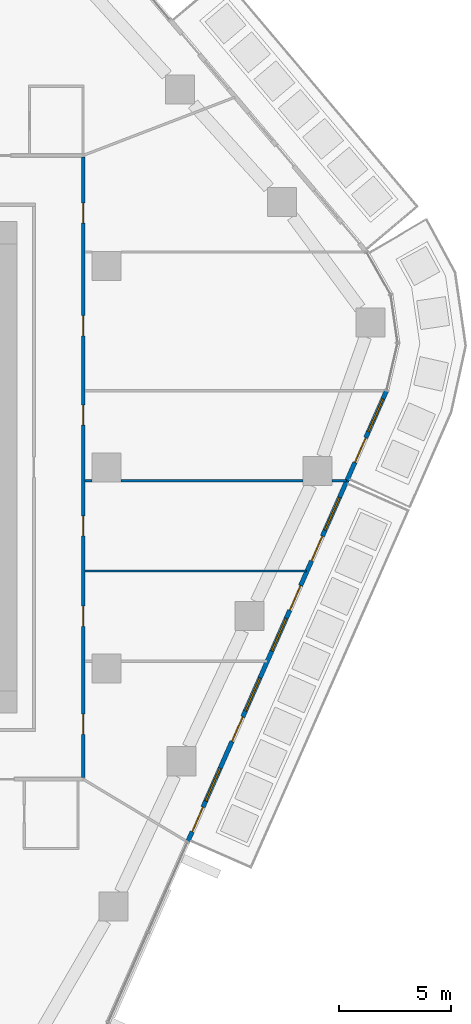
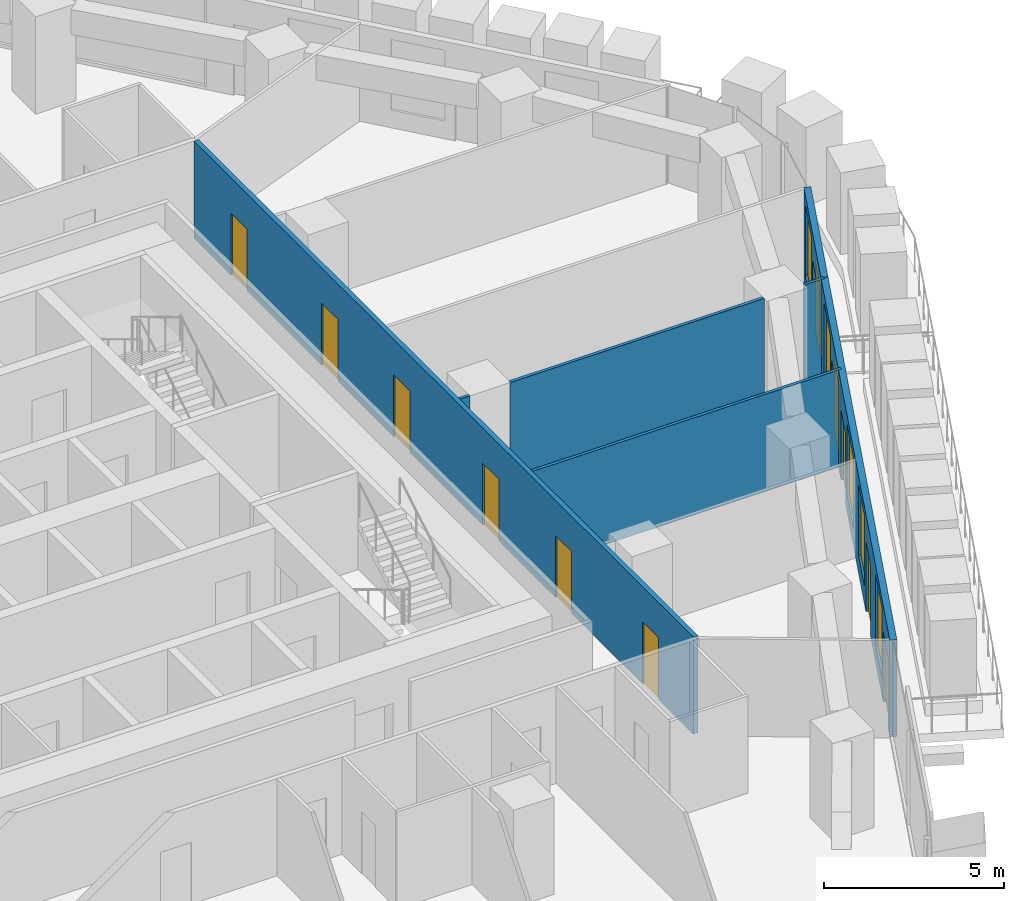
# One storey, part 14 of 24: 11 doors, 7 walls, 5 windows, 16 openings.
"""IFC4 building model written with IfcOpenShell, lengths in metres."""

from ifc_helpers import new_model, si_unit, direction, frame, frame_2d, origin, place, context, subcontext, project, spatial, rectangle, extrude, material, layer, layer_set, type_object, element, fill, save


model = new_model("IFC4")

# Units and contexts
model_context = context("Model", 3, precision=1e-05, world=origin(), true_north=direction((0.0, 1.0)))
body_context = subcontext(model_context, "Body", "Model", "MODEL_VIEW")
ifc_project = project(units=[si_unit("LENGTHUNIT", "METRE"), si_unit("AREAUNIT", "SQUARE_METRE"), si_unit("VOLUMEUNIT", "CUBIC_METRE"), si_unit("PLANEANGLEUNIT", "RADIAN"), si_unit("MASSUNIT", "GRAM", prefix="KILO")], contexts=[model_context])

# Site, building, storey
site_placement = place(None, origin())
site = spatial("IfcSite", under=ifc_project, at=site_placement, CompositionType="ELEMENT")
building_placement = place(site_placement, origin())
building = spatial("IfcBuilding", under=site, at=building_placement, Name="Dongbaek Canopy Tower", CompositionType="ELEMENT")
storey_placement = place(building_placement, frame((0.0, 0.0, 110.0)))
storey = spatial("IfcBuildingStorey", under=building, at=storey_placement, Name="L23", CompositionType="ELEMENT", Elevation=110.0)

# Wall, openings, doors
ifc_material_1 = material(Name="Gypsum board partition, steel stud, 2 x 15 mm fire board", Category="steel")
ifc_layer_1 = layer(ifc_material_1, 0.14990234375)
ifc_layer_set_1 = layer_set([ifc_layer_1], Name="Fire-rated partition 150 gypsum board")
wall_type_1 = type_object("IfcWallType", Name="Fire-rated partition 150 gypsum board", PredefinedType="PARTITIONING", material=ifc_layer_set_1)
wall_1_placement = place(storey_placement, frame((16.949951171875, 13.875, 0.0), z_axis=(0.0, 0.0, 1.0), x_axis=(0.0, -1.0, 0.0)))
wall_1 = element("IfcWall", 1, at=wall_1_placement, inside=storey, type_object=wall_type_1, Name="Corridor partition", PredefinedType="PARTITIONING", context=body_context, shape_type="SweptSolid", body=[
    extrude(rectangle(XDim=27.75, YDim=0.14990234375, at=frame_2d((13.875, 0.0))), origin(), (0.0, 0.0, 1.0), 3.300048828125),
])
opening_1_placement = place(wall_1_placement, frame((24.91748046875, 0.0, 0.0)))
opening_1 = element("IfcOpeningElement", 2, at=opening_1_placement, cuts=wall_1, Name="Opening L23-D015", PredefinedType="OPENING", context=body_context, shape_type="SweptSolid", body=[
    extrude(rectangle(XDim=0.89990234375, YDim=2.10009765625, at=frame_2d((0.449951171875, 1.050048828125))), frame((0.0, 0.0849609375, 0.0), z_axis=(0.0, -1.0, 0.0), x_axis=(1.0, 0.0, 0.0)), (0.0, 0.0, 1.0), 0.169921875),
])
opening_2_placement = place(wall_1_placement, frame((20.086181640625, 0.0, 0.0)))
opening_2 = element("IfcOpeningElement", 3, at=opening_2_placement, cuts=wall_1, Name="Opening L23-D016", PredefinedType="OPENING", context=body_context, shape_type="SweptSolid", body=[
    extrude(rectangle(XDim=0.89990234375, YDim=2.10009765625, at=frame_2d((0.449951171875, 1.050048828125))), frame((0.0, 0.0849609375, 0.0), z_axis=(0.0, -1.0, 0.0), x_axis=(1.0, 0.0, 0.0)), (0.0, 0.0, 1.0), 0.169921875),
])
opening_3_placement = place(wall_1_placement, frame((16.046630859375, 0.0, 0.0)))
opening_3 = element("IfcOpeningElement", 4, at=opening_3_placement, cuts=wall_1, Name="Opening L23-D017", PredefinedType="OPENING", context=body_context, shape_type="SweptSolid", body=[
    extrude(rectangle(XDim=0.89990234375, YDim=2.10009765625, at=frame_2d((0.449951171875, 1.050048828125))), frame((0.0, 0.0849609375, 0.0), z_axis=(0.0, -1.0, 0.0), x_axis=(1.0, 0.0, 0.0)), (0.0, 0.0, 1.0), 0.169921875),
])
opening_4_placement = place(wall_1_placement, frame((11.0908203125, 0.0, 0.0)))
opening_4 = element("IfcOpeningElement", 5, at=opening_4_placement, cuts=wall_1, Name="Opening L23-D018", PredefinedType="OPENING", context=body_context, shape_type="SweptSolid", body=[
    extrude(rectangle(XDim=0.89990234375, YDim=2.10009765625, at=frame_2d((0.449951171875, 1.050048828125))), frame((0.0, 0.0849609375, 0.0), z_axis=(0.0, -1.0, 0.0), x_axis=(1.0, 0.0, 0.0)), (0.0, 0.0, 1.0), 0.169921875),
])
opening_5_placement = place(wall_1_placement, frame((7.092529296875, 0.0, 0.0)))
opening_5 = element("IfcOpeningElement", 6, at=opening_5_placement, cuts=wall_1, Name="Opening L23-D019", PredefinedType="OPENING", context=body_context, shape_type="SweptSolid", body=[
    extrude(rectangle(XDim=0.89990234375, YDim=2.10009765625, at=frame_2d((0.449951171875, 1.050048828125))), frame((0.0, 0.0849609375, 0.0), z_axis=(0.0, -1.0, 0.0), x_axis=(1.0, 0.0, 0.0)), (0.0, 0.0, 1.0), 0.169921875),
])
opening_6_placement = place(wall_1_placement, frame((2.05712890625, 0.0, 0.0)))
opening_6 = element("IfcOpeningElement", 7, at=opening_6_placement, cuts=wall_1, Name="Opening L23-D020", PredefinedType="OPENING", context=body_context, shape_type="SweptSolid", body=[
    extrude(rectangle(XDim=0.89990234375, YDim=2.10009765625, at=frame_2d((0.449951171875, 1.050048828125))), frame((0.0, 0.0849609375, 0.0), z_axis=(0.0, -1.0, 0.0), x_axis=(1.0, 0.0, 0.0)), (0.0, 0.0, 1.0), 0.169921875),
])
ifc_material_2 = material(Name="Timber veneered door leaf", Category="wood")
door_type_1 = type_object("IfcDoorType", Name="Room door 900 x 2100", OperationType="SINGLE_SWING_LEFT", PredefinedType="DOOR", material=ifc_material_2)
door_1_placement = place(opening_1_placement, origin())
door_1 = element("IfcDoor", 8, at=door_1_placement, inside=storey, type_object=door_type_1, Name="Door L23-D015", OperationType="SINGLE_SWING_RIGHT", OverallHeight=2.10009765625, OverallWidth=0.89990234375, PredefinedType="DOOR", context=body_context, shape_type="SweptSolid", body=[
    extrude(rectangle(XDim=0.89990234375, YDim=2.10009765625, at=frame_2d((0.449951171875, 1.050048828125))), frame((0.0, 0.02490234375, 0.0), z_axis=(0.0, -1.0, 0.0), x_axis=(1.0, 0.0, 0.0)), (0.0, 0.0, 1.0), 0.050048828125),
])
fill(opening_1, door_1)
door_2_placement = place(opening_2_placement, origin())
door_2 = element("IfcDoor", 9, at=door_2_placement, inside=storey, type_object=door_type_1, Name="Door L23-D016", OperationType="SINGLE_SWING_LEFT", OverallHeight=2.10009765625, OverallWidth=0.89990234375, PredefinedType="DOOR", context=body_context, shape_type="SweptSolid", body=[
    extrude(rectangle(XDim=0.89990234375, YDim=2.10009765625, at=frame_2d((0.449951171875, 1.050048828125))), frame((0.0, 0.02490234375, 0.0), z_axis=(0.0, -1.0, 0.0), x_axis=(1.0, 0.0, 0.0)), (0.0, 0.0, 1.0), 0.050048828125),
])
fill(opening_2, door_2)
door_3_placement = place(opening_3_placement, origin())
door_3 = element("IfcDoor", 10, at=door_3_placement, inside=storey, type_object=door_type_1, Name="Door L23-D017", OperationType="SINGLE_SWING_RIGHT", OverallHeight=2.10009765625, OverallWidth=0.89990234375, PredefinedType="DOOR", context=body_context, shape_type="SweptSolid", body=[
    extrude(rectangle(XDim=0.89990234375, YDim=2.10009765625, at=frame_2d((0.449951171875, 1.050048828125))), frame((0.0, 0.02490234375, 0.0), z_axis=(0.0, -1.0, 0.0), x_axis=(1.0, 0.0, 0.0)), (0.0, 0.0, 1.0), 0.050048828125),
])
fill(opening_3, door_3)
door_4_placement = place(opening_4_placement, origin())
door_4 = element("IfcDoor", 11, at=door_4_placement, inside=storey, type_object=door_type_1, Name="Door L23-D018", OperationType="SINGLE_SWING_LEFT", OverallHeight=2.10009765625, OverallWidth=0.89990234375, PredefinedType="DOOR", context=body_context, shape_type="SweptSolid", body=[
    extrude(rectangle(XDim=0.89990234375, YDim=2.10009765625, at=frame_2d((0.449951171875, 1.050048828125))), frame((0.0, 0.02490234375, 0.0), z_axis=(0.0, -1.0, 0.0), x_axis=(1.0, 0.0, 0.0)), (0.0, 0.0, 1.0), 0.050048828125),
])
fill(opening_4, door_4)
door_5_placement = place(opening_5_placement, origin())
door_5 = element("IfcDoor", 12, at=door_5_placement, inside=storey, type_object=door_type_1, Name="Door L23-D019", OperationType="SINGLE_SWING_RIGHT", OverallHeight=2.10009765625, OverallWidth=0.89990234375, PredefinedType="DOOR", context=body_context, shape_type="SweptSolid", body=[
    extrude(rectangle(XDim=0.89990234375, YDim=2.10009765625, at=frame_2d((0.449951171875, 1.050048828125))), frame((0.0, 0.02490234375, 0.0), z_axis=(0.0, -1.0, 0.0), x_axis=(1.0, 0.0, 0.0)), (0.0, 0.0, 1.0), 0.050048828125),
])
fill(opening_5, door_5)
door_6_placement = place(opening_6_placement, origin())
door_6 = element("IfcDoor", 13, at=door_6_placement, inside=storey, type_object=door_type_1, Name="Door L23-D020", OperationType="SINGLE_SWING_LEFT", OverallHeight=2.10009765625, OverallWidth=0.89990234375, PredefinedType="DOOR", context=body_context, shape_type="SweptSolid", body=[
    extrude(rectangle(XDim=0.89990234375, YDim=2.10009765625, at=frame_2d((0.449951171875, 1.050048828125))), frame((0.0, 0.02490234375, 0.0), z_axis=(0.0, -1.0, 0.0), x_axis=(1.0, 0.0, 0.0)), (0.0, 0.0, 1.0), 0.050048828125),
])
fill(opening_6, door_6)

# Walls
ifc_material_3 = material(Name="Gypsum board partition, steel stud, 2 x 12.5 mm board", Category="steel")
ifc_layer_2 = layer(ifc_material_3, 0.10009765625)
ifc_layer_set_2 = layer_set([ifc_layer_2], Name="Partition 100 gypsum board")
wall_type_2 = type_object("IfcWallType", Name="Partition 100 gypsum board", PredefinedType="PARTITIONING", material=ifc_layer_set_2)
wall_2_placement = place(storey_placement, frame((17.02490234375, -4.64111328125, 0.0), z_axis=(0.0, 0.0, 1.0), x_axis=(1.0, 0.0, 0.0)))
element("IfcWall", 14, at=wall_2_placement, inside=storey, type_object=wall_type_2, Name="Partition", PredefinedType="PARTITIONING", context=body_context, shape_type="SweptSolid", body=[
    extrude(rectangle(XDim=9.92041015625, YDim=0.10009765625, at=frame_2d((4.960205078125, 0.0))), origin(), (0.0, 0.0, 1.0), 3.300048828125),
])
wall_3_placement = place(storey_placement, frame((17.02490234375, -0.60205078125, 0.0), z_axis=(0.0, 0.0, 1.0), x_axis=(1.0, 0.0, 0.0)))
element("IfcWall", 15, at=wall_3_placement, inside=storey, type_object=wall_type_2, Name="Partition", PredefinedType="PARTITIONING", context=body_context, shape_type="SweptSolid", body=[
    extrude(rectangle(XDim=0.3251953125, YDim=0.10009765625, at=frame_2d((0.16259765625, 0.0))), origin(), (0.0, 0.0, 1.0), 3.300048828125),
])
wall_4_placement = place(storey_placement, frame((18.64990234375, -0.60205078125, 0.0), z_axis=(0.0, 0.0, 1.0), x_axis=(1.0, 0.0, 0.0)))
element("IfcWall", 16, at=wall_4_placement, inside=storey, type_object=wall_type_2, Name="Partition", PredefinedType="PARTITIONING", context=body_context, shape_type="SweptSolid", body=[
    extrude(rectangle(XDim=8.135986328125, YDim=0.10009765625, at=frame_2d((4.06787109375, 0.0))), origin(), (0.0, 0.0, 1.0), 3.300048828125),
])
wall_5_placement = place(storey_placement, frame((28.0859375, -0.60205078125, 0.0), z_axis=(0.0, 0.0, 1.0), x_axis=(1.0, 0.0, 0.0)))
element("IfcWall", 17, at=wall_5_placement, inside=storey, type_object=wall_type_2, Name="Partition", PredefinedType="PARTITIONING", context=body_context, shape_type="SweptSolid", body=[
    extrude(rectangle(XDim=0.6396484375, YDim=0.10009765625, at=frame_2d((0.31982421875, 0.0))), origin(), (0.0, 0.0, 1.0), 3.300048828125),
])

# Wall, openings, doors, windows
ifc_material_4 = material(Name="Aluminium window wall", Category="aluminium")
ifc_layer_3 = layer(ifc_material_4, 0.199951171875)
ifc_layer_set_3 = layer_set([ifc_layer_3], Name="Window wall 200")
wall_type_3 = type_object("IfcWallType", Name="Window wall 200", PredefinedType="SOLIDWALL", material=ifc_layer_set_3)
wall_6_placement = place(storey_placement, frame((21.62646484375, -16.759765625, 0.0), z_axis=(0.0, 0.0, 1.0), x_axis=(0.403293642116, 0.915070619258, 0.0)))
wall_6 = element("IfcWall", 18, at=wall_6_placement, inside=storey, type_object=wall_type_3, Name="Window wall L23 5", PredefinedType="SOLIDWALL", context=body_context, shape_type="SweptSolid", body=[
    extrude(rectangle(XDim=17.6572265625, YDim=0.199951171875, at=frame_2d((8.82861328125, 0.0))), origin(), (0.0, 0.0, 1.0), 3.300048828125),
])
opening_7_placement = place(wall_6_placement, frame((2.0, 0.0, 0.60009765625)))
opening_7 = element("IfcOpeningElement", 19, at=opening_7_placement, cuts=wall_6, Name="Opening W1", PredefinedType="OPENING", context=body_context, shape_type="SweptSolid", body=[
    extrude(rectangle(XDim=1.60009765625, YDim=2.39990234375, at=frame_2d((0.800048828125, 1.199951171875))), frame((0.0, 0.10986328125, 0.0), z_axis=(0.0, -1.0, 0.0), x_axis=(1.0, 0.0, 0.0)), (0.0, 0.0, 1.0), 0.219970703125),
])
opening_8_placement = place(wall_6_placement, frame((0.5, 0.0, 0.0)))
opening_8 = element("IfcOpeningElement", 20, at=opening_8_placement, cuts=wall_6, Name="Opening L23-B13", PredefinedType="OPENING", context=body_context, shape_type="SweptSolid", body=[
    extrude(rectangle(XDim=1.199951171875, YDim=2.39990234375, at=frame_2d((0.60009765625, 1.199951171875))), frame((0.0, 0.10986328125, 0.0), z_axis=(0.0, -1.0, 0.0), x_axis=(1.0, 0.0, 0.0)), (0.0, 0.0, 1.0), 0.219970703125),
])
opening_9_placement = place(wall_6_placement, frame((6.414306640625, 0.0, 0.60009765625)))
opening_9 = element("IfcOpeningElement", 21, at=opening_9_placement, cuts=wall_6, Name="Opening W1", PredefinedType="OPENING", context=body_context, shape_type="SweptSolid", body=[
    extrude(rectangle(XDim=1.60009765625, YDim=2.39990234375, at=frame_2d((0.800048828125, 1.199951171875))), frame((0.0, 0.10986328125, 0.0), z_axis=(0.0, -1.0, 0.0), x_axis=(1.0, 0.0, 0.0)), (0.0, 0.0, 1.0), 0.219970703125),
])
opening_10_placement = place(wall_6_placement, frame((4.914306640625, 0.0, 0.0)))
opening_10 = element("IfcOpeningElement", 22, at=opening_10_placement, cuts=wall_6, Name="Opening L23-B14", PredefinedType="OPENING", context=body_context, shape_type="SweptSolid", body=[
    extrude(rectangle(XDim=1.199951171875, YDim=2.39990234375, at=frame_2d((0.60009765625, 1.199951171875))), frame((0.0, 0.10986328125, 0.0), z_axis=(0.0, -1.0, 0.0), x_axis=(1.0, 0.0, 0.0)), (0.0, 0.0, 1.0), 0.219970703125),
])
opening_11_placement = place(wall_6_placement, frame((9.32861328125, 0.0, 0.60009765625)))
opening_11 = element("IfcOpeningElement", 23, at=opening_11_placement, cuts=wall_6, Name="Opening W1", PredefinedType="OPENING", context=body_context, shape_type="SweptSolid", body=[
    extrude(rectangle(XDim=1.60009765625, YDim=2.39990234375, at=frame_2d((0.800048828125, 1.199951171875))), frame((0.0, 0.10986328125, 0.0), z_axis=(0.0, -1.0, 0.0), x_axis=(1.0, 0.0, 0.0)), (0.0, 0.0, 1.0), 0.219970703125),
])
opening_12_placement = place(wall_6_placement, frame((11.32861328125, 0.0, 0.0)))
opening_12 = element("IfcOpeningElement", 24, at=opening_12_placement, cuts=wall_6, Name="Opening L23-B15", PredefinedType="OPENING", context=body_context, shape_type="SweptSolid", body=[
    extrude(rectangle(XDim=1.199951171875, YDim=2.39990234375, at=frame_2d((0.60009765625, 1.199951171875))), frame((0.0, 0.10986328125, 0.0), z_axis=(0.0, -1.0, 0.0), x_axis=(1.0, 0.0, 0.0)), (0.0, 0.0, 1.0), 0.219970703125),
])
opening_13_placement = place(wall_6_placement, frame((15.242919921875, 0.0, 0.60009765625)))
opening_13 = element("IfcOpeningElement", 25, at=opening_13_placement, cuts=wall_6, Name="Opening W1", PredefinedType="OPENING", context=body_context, shape_type="SweptSolid", body=[
    extrude(rectangle(XDim=1.60009765625, YDim=2.39990234375, at=frame_2d((0.800048828125, 1.199951171875))), frame((0.0, 0.10986328125, 0.0), z_axis=(0.0, -1.0, 0.0), x_axis=(1.0, 0.0, 0.0)), (0.0, 0.0, 1.0), 0.219970703125),
])
opening_14_placement = place(wall_6_placement, frame((13.742919921875, 0.0, 0.0)))
opening_14 = element("IfcOpeningElement", 26, at=opening_14_placement, cuts=wall_6, Name="Opening L23-B16", PredefinedType="OPENING", context=body_context, shape_type="SweptSolid", body=[
    extrude(rectangle(XDim=1.199951171875, YDim=2.39990234375, at=frame_2d((0.60009765625, 1.199951171875))), frame((0.0, 0.10986328125, 0.0), z_axis=(0.0, -1.0, 0.0), x_axis=(1.0, 0.0, 0.0)), (0.0, 0.0, 1.0), 0.219970703125),
])
ifc_material_5 = material(Name="Clear glazing in aluminium frame", Category="aluminium")
door_type_2 = type_object("IfcDoorType", Name="Balcony door BD1 1200 x 2400", OperationType="SLIDING_TO_LEFT", PredefinedType="DOOR", material=ifc_material_5)
door_7_placement = place(opening_8_placement, origin())
door_7 = element("IfcDoor", 27, at=door_7_placement, inside=storey, type_object=door_type_2, Name="Balcony door L23-B13", OperationType="SLIDING_TO_LEFT", OverallHeight=2.39990234375, OverallWidth=1.199951171875, PredefinedType="DOOR", context=body_context, shape_type="SweptSolid", body=[
    extrude(rectangle(XDim=1.199951171875, YDim=2.39990234375, at=frame_2d((0.60009765625, 1.199951171875))), frame((0.0, 0.02490234375, 0.0), z_axis=(0.0, -1.0, 0.0), x_axis=(1.0, 0.0, 0.0)), (0.0, 0.0, 1.0), 0.050048828125),
])
fill(opening_8, door_7)
door_8_placement = place(opening_10_placement, origin())
door_8 = element("IfcDoor", 28, at=door_8_placement, inside=storey, type_object=door_type_2, Name="Balcony door L23-B14", OperationType="SLIDING_TO_LEFT", OverallHeight=2.39990234375, OverallWidth=1.199951171875, PredefinedType="DOOR", context=body_context, shape_type="SweptSolid", body=[
    extrude(rectangle(XDim=1.199951171875, YDim=2.39990234375, at=frame_2d((0.60009765625, 1.199951171875))), frame((0.0, 0.02490234375, 0.0), z_axis=(0.0, -1.0, 0.0), x_axis=(1.0, 0.0, 0.0)), (0.0, 0.0, 1.0), 0.050048828125),
])
fill(opening_10, door_8)
door_9_placement = place(opening_12_placement, origin())
door_9 = element("IfcDoor", 29, at=door_9_placement, inside=storey, type_object=door_type_2, Name="Balcony door L23-B15", OperationType="SLIDING_TO_LEFT", OverallHeight=2.39990234375, OverallWidth=1.199951171875, PredefinedType="DOOR", context=body_context, shape_type="SweptSolid", body=[
    extrude(rectangle(XDim=1.199951171875, YDim=2.39990234375, at=frame_2d((0.60009765625, 1.199951171875))), frame((0.0, 0.02490234375, 0.0), z_axis=(0.0, -1.0, 0.0), x_axis=(1.0, 0.0, 0.0)), (0.0, 0.0, 1.0), 0.050048828125),
])
fill(opening_12, door_9)
door_10_placement = place(opening_14_placement, origin())
door_10 = element("IfcDoor", 30, at=door_10_placement, inside=storey, type_object=door_type_2, Name="Balcony door L23-B16", OperationType="SLIDING_TO_LEFT", OverallHeight=2.39990234375, OverallWidth=1.199951171875, PredefinedType="DOOR", context=body_context, shape_type="SweptSolid", body=[
    extrude(rectangle(XDim=1.199951171875, YDim=2.39990234375, at=frame_2d((0.60009765625, 1.199951171875))), frame((0.0, 0.02490234375, 0.0), z_axis=(0.0, -1.0, 0.0), x_axis=(1.0, 0.0, 0.0)), (0.0, 0.0, 1.0), 0.050048828125),
])
fill(opening_14, door_10)
ifc_material_6 = material(Name="Clear glazing in aluminium frame", Category="aluminium")
window_type = type_object("IfcWindowType", Name="Window W1 1600 x 2400", PartitioningType="SINGLE_PANEL", PredefinedType="WINDOW", material=ifc_material_6)
window_1_placement = place(opening_7_placement, origin())
window_1 = element("IfcWindow", 31, at=window_1_placement, inside=storey, type_object=window_type, Name="Window L23 5.1", OverallHeight=2.39990234375, OverallWidth=1.60009765625, PartitioningType="SINGLE_PANEL", PredefinedType="WINDOW", context=body_context, shape_type="SweptSolid", body=[
    extrude(rectangle(XDim=1.60009765625, YDim=2.39990234375, at=frame_2d((0.800048828125, 1.199951171875))), frame((0.0, 0.030029296875, 0.0), z_axis=(0.0, -1.0, 0.0), x_axis=(1.0, 0.0, 0.0)), (0.0, 0.0, 1.0), 0.06005859375),
])
fill(opening_7, window_1)
window_2_placement = place(opening_9_placement, origin())
window_2 = element("IfcWindow", 32, at=window_2_placement, inside=storey, type_object=window_type, Name="Window L23 5.2", OverallHeight=2.39990234375, OverallWidth=1.60009765625, PartitioningType="SINGLE_PANEL", PredefinedType="WINDOW", context=body_context, shape_type="SweptSolid", body=[
    extrude(rectangle(XDim=1.60009765625, YDim=2.39990234375, at=frame_2d((0.800048828125, 1.199951171875))), frame((0.0, 0.030029296875, 0.0), z_axis=(0.0, -1.0, 0.0), x_axis=(1.0, 0.0, 0.0)), (0.0, 0.0, 1.0), 0.06005859375),
])
fill(opening_9, window_2)
window_3_placement = place(opening_11_placement, origin())
window_3 = element("IfcWindow", 33, at=window_3_placement, inside=storey, type_object=window_type, Name="Window L23 5.3", OverallHeight=2.39990234375, OverallWidth=1.60009765625, PartitioningType="SINGLE_PANEL", PredefinedType="WINDOW", context=body_context, shape_type="SweptSolid", body=[
    extrude(rectangle(XDim=1.60009765625, YDim=2.39990234375, at=frame_2d((0.800048828125, 1.199951171875))), frame((0.0, 0.030029296875, 0.0), z_axis=(0.0, -1.0, 0.0), x_axis=(1.0, 0.0, 0.0)), (0.0, 0.0, 1.0), 0.06005859375),
])
fill(opening_11, window_3)
window_4_placement = place(opening_13_placement, origin())
window_4 = element("IfcWindow", 34, at=window_4_placement, inside=storey, type_object=window_type, Name="Window L23 5.4", OverallHeight=2.39990234375, OverallWidth=1.60009765625, PartitioningType="SINGLE_PANEL", PredefinedType="WINDOW", context=body_context, shape_type="SweptSolid", body=[
    extrude(rectangle(XDim=1.60009765625, YDim=2.39990234375, at=frame_2d((0.800048828125, 1.199951171875))), frame((0.0, 0.030029296875, 0.0), z_axis=(0.0, -1.0, 0.0), x_axis=(1.0, 0.0, 0.0)), (0.0, 0.0, 1.0), 0.06005859375),
])
fill(opening_13, window_4)

# Wall, openings, door, window
wall_7_placement = place(storey_placement, frame((28.74755859375, -0.60205078125, 0.0), z_axis=(0.0, 0.0, 1.0), x_axis=(0.403256746057, 0.91508687935, 0.0)))
wall_7 = element("IfcWall", 35, at=wall_7_placement, inside=storey, type_object=wall_type_3, Name="Window wall L23 6", PredefinedType="SOLIDWALL", context=body_context, shape_type="SweptSolid", body=[
    extrude(rectangle(XDim=4.405029296875, YDim=0.199951171875, at=frame_2d((2.20263671875, 0.0))), origin(), (0.0, 0.0, 1.0), 3.300048828125),
])
opening_15_placement = place(wall_7_placement, frame((2.39990234375, 0.0, 0.60009765625)))
opening_15 = element("IfcOpeningElement", 36, at=opening_15_placement, cuts=wall_7, Name="Opening W1", PredefinedType="OPENING", context=body_context, shape_type="SweptSolid", body=[
    extrude(rectangle(XDim=1.60009765625, YDim=2.39990234375, at=frame_2d((0.800048828125, 1.199951171875))), frame((0.0, 0.10986328125, 0.0), z_axis=(0.0, -1.0, 0.0), x_axis=(1.0, 0.0, 0.0)), (0.0, 0.0, 1.0), 0.219970703125),
])
opening_16_placement = place(wall_7_placement, frame((0.89990234375, 0.0, 0.0)))
opening_16 = element("IfcOpeningElement", 37, at=opening_16_placement, cuts=wall_7, Name="Opening L23-B17", PredefinedType="OPENING", context=body_context, shape_type="SweptSolid", body=[
    extrude(rectangle(XDim=1.199951171875, YDim=2.39990234375, at=frame_2d((0.60009765625, 1.199951171875))), frame((0.0, 0.10986328125, 0.0), z_axis=(0.0, -1.0, 0.0), x_axis=(1.0, 0.0, 0.0)), (0.0, 0.0, 1.0), 0.219970703125),
])
door_11_placement = place(opening_16_placement, origin())
door_11 = element("IfcDoor", 38, at=door_11_placement, inside=storey, type_object=door_type_2, Name="Balcony door L23-B17", OperationType="SLIDING_TO_LEFT", OverallHeight=2.39990234375, OverallWidth=1.199951171875, PredefinedType="DOOR", context=body_context, shape_type="SweptSolid", body=[
    extrude(rectangle(XDim=1.199951171875, YDim=2.39990234375, at=frame_2d((0.60009765625, 1.199951171875))), frame((0.0, 0.02490234375, 0.0), z_axis=(0.0, -1.0, 0.0), x_axis=(1.0, 0.0, 0.0)), (0.0, 0.0, 1.0), 0.050048828125),
])
fill(opening_16, door_11)
window_5_placement = place(opening_15_placement, origin())
window_5 = element("IfcWindow", 39, at=window_5_placement, inside=storey, type_object=window_type, Name="Window L23 6.1", OverallHeight=2.39990234375, OverallWidth=1.60009765625, PartitioningType="SINGLE_PANEL", PredefinedType="WINDOW", context=body_context, shape_type="SweptSolid", body=[
    extrude(rectangle(XDim=1.60009765625, YDim=2.39990234375, at=frame_2d((0.800048828125, 1.199951171875))), frame((0.0, 0.030029296875, 0.0), z_axis=(0.0, -1.0, 0.0), x_axis=(1.0, 0.0, 0.0)), (0.0, 0.0, 1.0), 0.06005859375),
])
fill(opening_15, window_5)

save(model, "model.ifc")
